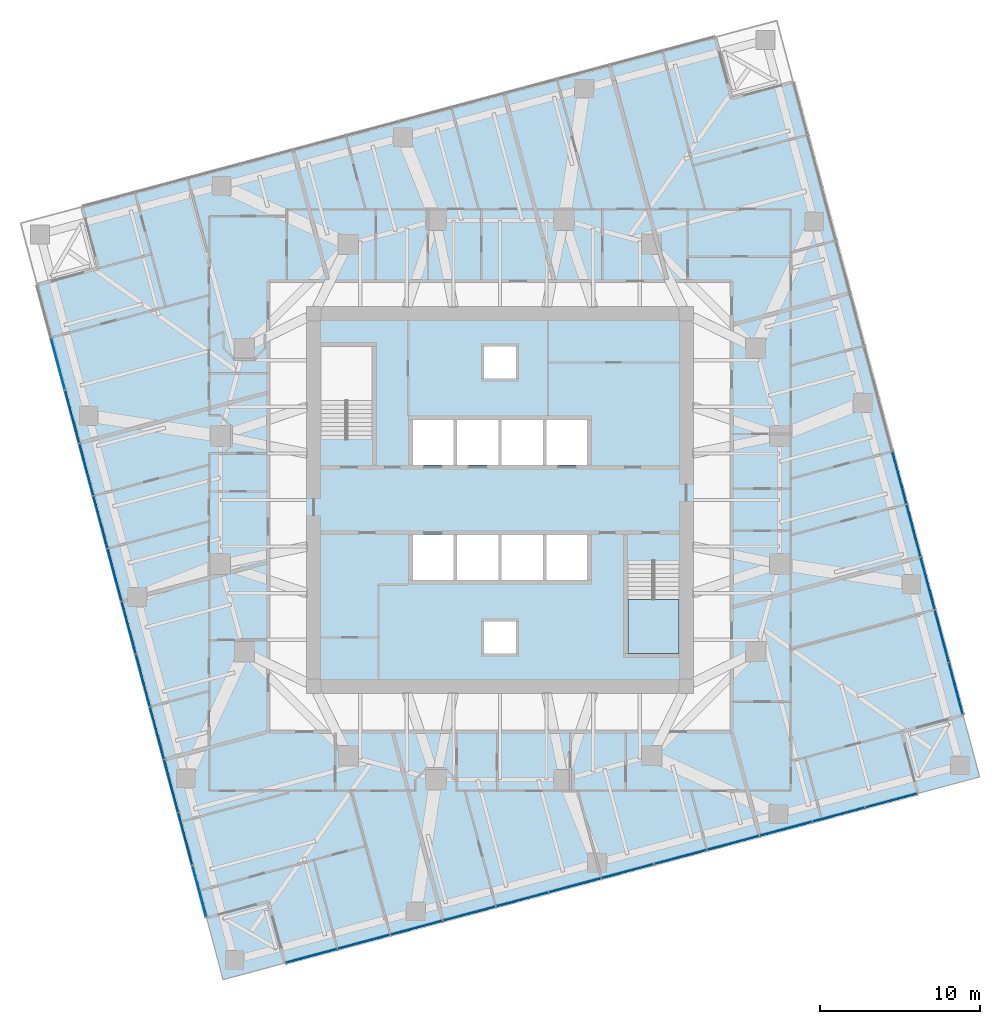
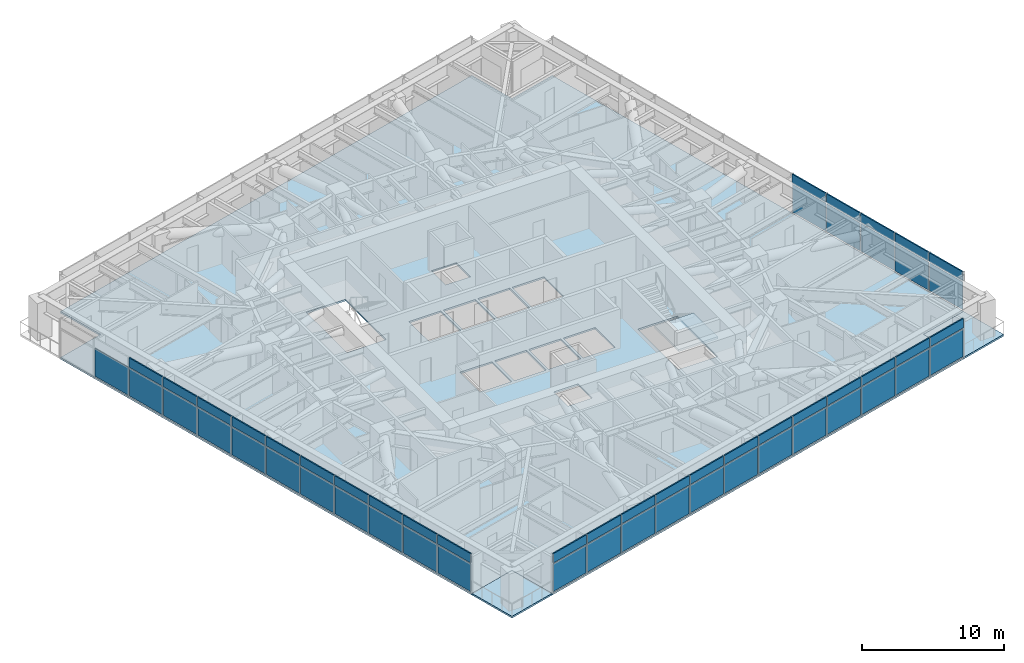
# One storey, part 9 of 18: 55 plates, 4 slabs, 4 elements without a shape of their own.
"""IFC4 building model written with IfcOpenShell, lengths in metres."""

import ifcopenshell
import ifcopenshell.guid

model = None  # the IFC model being written
_history = None  # IfcOwnerHistory: only IFC2X3 demands one
_inside = {}  # id of a spatial element -> (the spatial element, [elements in it])
_under = {}  # id of a project, library or spatial element -> (it, [spatial elements below it])
_declared = {}  # id of a project -> (the project, [libraries it declares])
_typed = {}  # id of a type object -> (the type object, [elements of that type])
_made_of = {}  # id of a material, layer set ... -> (it, [elements and type objects made of it])


def new_model(schema):
    """Start an empty IFC model of exactly this schema.

    Asked for "IFC4X3", IfcOpenShell would pick the latest addendum, in which some entities
    have other attributes; the version numbers below select the first issue.
    IFC2X3 requires an IfcOwnerHistory on every rooted entity: one is made here for all.
    """
    global model, _history
    if schema == "IFC4X3":
        model = ifcopenshell.file(schema_version=(4, 3, 0, 0))
    else:
        model = ifcopenshell.file(schema=schema)
    _inside.clear()
    _under.clear()
    _declared.clear()
    _typed.clear()
    _made_of.clear()
    _history = None
    if model.schema == "IFC2X3":
        org = make("IfcOrganization", Name="unknown")
        user = make(
            "IfcPersonAndOrganization",
            ThePerson=make("IfcPerson", FamilyName="unknown"),
            TheOrganization=org,
        )
        app = make(
            "IfcApplication",
            ApplicationDeveloper=org,
            Version="unknown",
            ApplicationFullName="unknown",
            ApplicationIdentifier="unknown",
        )
        _history = make(
            "IfcOwnerHistory",
            OwningUser=user,
            OwningApplication=app,
            ChangeAction="ADDED",
            CreationDate=0,
        )
    return model


def make(cls, **values):
    """One entity of the class cls with the attributes given. An attribute that is None is left unset."""
    return model.create_entity(
        cls, **{name: value for name, value in values.items() if value is not None}
    )


def rooted(cls, **values):
    """An entity with a GlobalId (a new one), such as an element, a storey or a relation."""
    return make(cls, GlobalId=ifcopenshell.guid.new(), OwnerHistory=_history, **values)


def si_unit(unit_type, name, prefix=None):
    """IfcSIUnit, for example si_unit("LENGTHUNIT", "METRE", prefix="MILLI")."""
    return make("IfcSIUnit", UnitType=unit_type, Prefix=prefix, Name=name)


def assignment(units):
    """IfcUnitAssignment: the units of a project."""
    return None if units is None else make("IfcUnitAssignment", Units=units)


def point(xyz):
    """IfcCartesianPoint."""
    return None if xyz is None else make("IfcCartesianPoint", Coordinates=xyz)


def direction(xyz):
    """IfcDirection."""
    return None if xyz is None else make("IfcDirection", DirectionRatios=xyz)


def frame(location, z_axis=None, x_axis=None):
    """IfcAxis2Placement3D, a coordinate frame: its origin and axes. An axis left out is left unset."""
    return make(
        "IfcAxis2Placement3D",
        Location=point(location),
        Axis=direction(z_axis),
        RefDirection=direction(x_axis),
    )


def frame_2d(location, x_axis=None):
    """IfcAxis2Placement2D, a coordinate frame in the plane: its origin and x axis."""
    return make(
        "IfcAxis2Placement2D", Location=point(location), RefDirection=direction(x_axis)
    )


def origin():
    """The frame at (0, 0, 0) with its axes left unset."""
    return frame((0.0, 0.0, 0.0))


def origin_2d():
    """The frame at (0, 0) in the plane with its x axis left unset."""
    return frame_2d((0.0, 0.0))


def place(relative_to, where):
    """IfcLocalPlacement: puts the frame where relative to a parent placement (None: the world)."""
    return make(
        "IfcLocalPlacement", PlacementRelTo=relative_to, RelativePlacement=where
    )


def context(
    kind, dimensions, precision=None, world=None, true_north=None, identifier=None
):
    """IfcGeometricRepresentationContext, for example the 3D "Model" context."""
    return make(
        "IfcGeometricRepresentationContext",
        ContextIdentifier=identifier,
        ContextType=kind,
        CoordinateSpaceDimension=dimensions,
        Precision=precision,
        WorldCoordinateSystem=world,
        TrueNorth=true_north,
    )


def subcontext(parent, identifier, kind, view, scale=None):
    """IfcGeometricRepresentationSubContext, for example "Body" below "Model"."""
    return make(
        "IfcGeometricRepresentationSubContext",
        ContextIdentifier=identifier,
        ContextType=kind,
        ParentContext=parent,
        TargetScale=scale,
        TargetView=view,
    )


def project(units=None, contexts=None):
    """IfcProject with its units and contexts."""
    return rooted(
        "IfcProject",
        Name="project",
        RepresentationContexts=contexts,
        UnitsInContext=assignment(units),
    )


def spatial(cls, under=None, at=None, **own):
    """A site, building, storey or space (cls), placed at a placement, below another one or the project."""
    s = rooted(cls, ObjectPlacement=at, **own)
    if under is not None:
        _under.setdefault(under.id(), (under, []))[1].append(s)
    return s


def polyline(points):
    """IfcPolyline through the points."""
    return make("IfcPolyline", Points=[point(p) for p in points])


def profile(cls, at=None, kind="AREA", **sizes):
    """A parametric profile (cls). Its sizes go by their IFC names, for example OverallWidth=200.0."""
    return make(cls, ProfileType=kind, Position=at, **sizes)


def rectangle(**sizes):
    """IfcRectangleProfileDef."""
    return profile("IfcRectangleProfileDef", **sizes)


def outline(outer, holes=None, kind="AREA"):
    """IfcArbitraryClosedProfileDef: a profile drawn as a closed curve; with holes, ...WithVoids."""
    if holes is None:
        return make("IfcArbitraryClosedProfileDef", ProfileType=kind, OuterCurve=outer)
    return make(
        "IfcArbitraryProfileDefWithVoids",
        ProfileType=kind,
        OuterCurve=outer,
        InnerCurves=holes,
    )


def extrude(swept, where, along, depth):
    """IfcExtrudedAreaSolid: the profile swept, set in the frame where, extruded along a direction by depth."""
    return make(
        "IfcExtrudedAreaSolid",
        SweptArea=swept,
        Position=where,
        ExtrudedDirection=direction(along),
        Depth=depth,
    )


def shape(context_of_items, identifier, shape_type, items):
    """IfcShapeRepresentation: the items that make up one representation, for example the "Body"."""
    return make(
        "IfcShapeRepresentation",
        ContextOfItems=context_of_items,
        RepresentationIdentifier=identifier,
        RepresentationType=shape_type,
        Items=items,
    )


def material(Name=None, Category=None):
    """IfcMaterial."""
    return make("IfcMaterial", Name=Name, Category=Category)


def layer(
    of_material, thickness, ventilated=None, Name=None, Category=None, Priority=None
):
    """IfcMaterialLayer: one layer of a wall or slab, of a material (None: an air gap)."""
    return make(
        "IfcMaterialLayer",
        Material=of_material,
        LayerThickness=thickness,
        IsVentilated=ventilated,
        Name=Name,
        Category=Category,
        Priority=Priority,
    )


def layer_set(layers, Name=None):
    """IfcMaterialLayerSet."""
    return make("IfcMaterialLayerSet", MaterialLayers=layers, LayerSetName=Name)


def made_of(thing, what):
    """Note that an element or type object is made of a material, layer set ...; save() writes the relation."""
    if what is not None:
        _made_of.setdefault(what.id(), (what, []))[1].append(thing)
    return thing


def type_object(cls, material=None, **own):
    """A type object (cls), such as IfcWallType, which elements share."""
    return made_of(rooted(cls, **own), material)


def element(
    cls,
    number,
    at=None,
    inside=None,
    cuts=None,
    type_object=None,
    material=None,
    context=None,
    identifier="Body",
    shape_type=None,
    held_by="IfcProductDefinitionShape",
    body=None,
    shapes=None,
    **own,
):
    """One element of the class cls, such as IfcWall. Its Tag is "e" and its number.

    at: its placement. inside: the storey or other place that contains it. cuts: it is an
    opening in that element (IfcRelVoidsElement). A single representation is given by context,
    identifier, shape_type and body (its items); several are given by shapes. held_by: the class
    of the entity that holds the representations. save() writes the other relations.
    """
    e = rooted(cls, Tag="e%d" % number, ObjectPlacement=at, **own)
    if body is not None:
        shapes = [shape(context, identifier, shape_type, body)]
    if shapes is not None:
        e.Representation = make(held_by, Representations=shapes)
    if inside is not None:
        _inside.setdefault(inside.id(), (inside, []))[1].append(e)
    if cuts is not None:
        rooted(
            "IfcRelVoidsElement", RelatingBuildingElement=cuts, RelatedOpeningElement=e
        )
    if type_object is not None:
        _typed.setdefault(type_object.id(), (type_object, []))[1].append(e)
    return made_of(e, material)


def aggregate(whole, parts):
    """IfcRelAggregates: a whole, such as a stair, and the parts it consists of."""
    return rooted("IfcRelAggregates", RelatingObject=whole, RelatedObjects=parts)


def save(model, path):
    """Write the relations noted so far, then the file.

    IfcRelAggregates (storeys below a building ...), IfcRelContainedInSpatialStructure (elements
    in a storey), IfcRelDefinesByType, IfcRelAssociatesMaterial and IfcRelDeclares: one each for
    every whole, place, type object, material and project.
    """
    for whole, parts in _under.values():
        aggregate(whole, parts)
    for where, things in _inside.values():
        rooted(
            "IfcRelContainedInSpatialStructure",
            RelatedElements=things,
            RelatingStructure=where,
        )
    for kind, things in _typed.values():
        rooted("IfcRelDefinesByType", RelatedObjects=things, RelatingType=kind)
    for what, things in _made_of.values():
        rooted("IfcRelAssociatesMaterial", RelatedObjects=things, RelatingMaterial=what)
    for by, libraries in _declared.values():
        rooted("IfcRelDeclares", RelatingContext=by, RelatedDefinitions=libraries)
    model.write(path)


model = new_model("IFC4")

# Units and contexts
model_context = context("Model", 3, precision=1e-05, world=origin(), true_north=direction((0.0, 1.0)))
body_context = subcontext(model_context, "Body", "Model", "MODEL_VIEW")
ifc_project = project(units=[si_unit("LENGTHUNIT", "METRE"), si_unit("AREAUNIT", "SQUARE_METRE"), si_unit("VOLUMEUNIT", "CUBIC_METRE"), si_unit("PLANEANGLEUNIT", "RADIAN"), si_unit("MASSUNIT", "GRAM", prefix="KILO")], contexts=[model_context])

# Site, building, storey
site_placement = place(None, origin())
site = spatial("IfcSite", under=ifc_project, at=site_placement, CompositionType="ELEMENT")
building_placement = place(site_placement, origin())
building = spatial("IfcBuilding", under=site, at=building_placement, Name="Torsade Residences", CompositionType="ELEMENT")
storey_placement = place(building_placement, frame((0.0, 0.0, 135.39990234375)))
storey = spatial("IfcBuildingStorey", under=building, at=storey_placement, Name="L37", CompositionType="ELEMENT", Elevation=135.39990234375)

# Slab
ifc_material_1 = material(Name="Concrete 40 MPa", Category="concrete")
ifc_layer_1 = layer(ifc_material_1, 0.14990234375)
ifc_layer_set_1 = layer_set([ifc_layer_1], Name="Concrete 40 MPa")
slab_type_1 = type_object("IfcSlabType", Name="COMPOSITE FLOOR SLAB 150", PredefinedType="FLOOR", material=ifc_layer_set_1)
slab_1_placement = place(storey_placement, frame((0.0, 0.0, -0.14990234375)))
element("IfcSlab", 1, at=slab_1_placement, inside=storey, type_object=slab_type_1, Name="Floor slab L37", PredefinedType="FLOOR", context=body_context, shape_type="SweptSolid", body=[
    extrude(outline(polyline([(26.53955078125, 1.029052734375), (66.142578125, 11.640625), (65.107177734375, 15.50439453125), (68.970947265625, 16.53955078125), (58.359375, 56.142578125), (54.49560546875, 55.107177734375), (53.46044921875, 58.970947265625), (13.857421875, 48.359375), (14.892822265625, 44.49560546875), (11.029052734375, 43.46044921875), (21.640625, 3.857421875), (25.50439453125, 4.892822265625), (26.53955078125, 1.029052734375)]), holes=[polyline([(51.199951171875, 20.39990234375), (51.199951171875, 26.1201171875), (48.0, 26.1201171875), (48.0, 20.39990234375), (51.199951171875, 20.39990234375)]), polyline([(45.5, 27.800048828125), (42.89990234375, 27.800048828125), (42.89990234375, 25.0), (45.5, 25.0), (45.5, 27.800048828125)]), polyline([(45.5, 32.199951171875), (45.5, 35.0), (42.89990234375, 35.0), (42.89990234375, 32.199951171875), (45.5, 32.199951171875)]), polyline([(42.699951171875, 25.0), (42.699951171875, 27.800048828125), (40.10009765625, 27.800048828125), (40.10009765625, 25.0), (42.699951171875, 25.0)]), polyline([(42.699951171875, 32.199951171875), (42.699951171875, 35.0), (40.10009765625, 35.0), (40.10009765625, 32.199951171875), (42.699951171875, 32.199951171875)]), polyline([(41.0, 22.39990234375), (39.0, 22.39990234375), (39.0, 20.39990234375), (41.0, 20.39990234375), (41.0, 22.39990234375)]), polyline([(41.0, 37.60009765625), (41.0, 39.60009765625), (39.0, 39.60009765625), (39.0, 37.60009765625), (41.0, 37.60009765625)]), polyline([(39.89990234375, 25.0), (39.89990234375, 27.800048828125), (37.300048828125, 27.800048828125), (37.300048828125, 25.0), (39.89990234375, 25.0)]), polyline([(39.89990234375, 35.0), (37.300048828125, 35.0), (37.300048828125, 32.199951171875), (39.89990234375, 32.199951171875), (39.89990234375, 35.0)]), polyline([(37.10009765625, 27.800048828125), (34.5, 27.800048828125), (34.5, 25.0), (37.10009765625, 25.0), (37.10009765625, 27.800048828125)]), polyline([(37.10009765625, 32.199951171875), (37.10009765625, 35.0), (34.5, 35.0), (34.5, 32.199951171875), (37.10009765625, 32.199951171875)]), polyline([(32.0, 33.8798828125), (32.0, 39.60009765625), (28.800048828125, 39.60009765625), (28.800048828125, 33.8798828125), (32.0, 33.8798828125)])]), origin(), (0.0, 0.0, 1.0), 0.14990234375),
])

# Curtain wall, plates
ifc_material_2 = material(Name="Aluminium and glass", Category="aluminium")
curtain_wall_type = type_object("IfcCurtainWallType", Name="FRITTED GLASS CURTAIN WALL MID ZONE", PredefinedType="NOTDEFINED", material=ifc_material_2)
curtain_wall_1_placement = place(storey_placement, origin())
curtain_wall_1 = element("IfcCurtainWall", 2, at=curtain_wall_1_placement, inside=storey, type_object=curtain_wall_type, Name="Curtain wall L37 face 1", PredefinedType="NOTDEFINED")
ifc_material_3 = material(Name="Laminated glass", Category="glass")
ifc_layer_2 = layer(ifc_material_3, 0.031982421875)
ifc_layer_set_2 = layer_set([ifc_layer_2], Name="Laminated glass")
plate_type_1 = type_object("IfcPlateType", Name="FRITTED GLASS PANEL", PredefinedType="CURTAIN_PANEL", material=ifc_layer_set_2)
plate_1_placement = place(storey_placement, frame((28.208984375, 1.476318359375, 0.1103515625), z_axis=(0.0, 0.0, 1.0), x_axis=(0.965925825571, 0.258819047783, 0.0)))
plate_1 = element("IfcPlate", 3, at=plate_1_placement, type_object=plate_type_1, Name="Panel 1", PredefinedType="CURTAIN_PANEL", context=body_context, shape_type="SweptSolid", body=[
    extrude(rectangle(XDim=3.296630859375, YDim=0.031982421875, at=origin_2d()), origin(), (0.0, 0.0, 1.0), 2.389892578125),
])
plate_2_placement = place(storey_placement, frame((34.790283203125, 3.23974609375, 0.1103515625), z_axis=(0.0, 0.0, 1.0), x_axis=(0.965925825571, 0.258819047783, 0.0)))
plate_2 = element("IfcPlate", 4, at=plate_2_placement, type_object=plate_type_1, Name="Panel 3", PredefinedType="CURTAIN_PANEL", context=body_context, shape_type="SweptSolid", body=[
    extrude(rectangle(XDim=3.336669921875, YDim=0.031982421875, at=origin_2d()), origin(), (0.0, 0.0, 1.0), 2.389892578125),
])
plate_3_placement = place(storey_placement, frame((38.09033203125, 4.1240234375, 0.1103515625), z_axis=(0.0, 0.0, 1.0), x_axis=(0.965925825571, 0.258819047783, 0.0)))
plate_3 = element("IfcPlate", 5, at=plate_3_placement, type_object=plate_type_1, Name="Panel 4", PredefinedType="CURTAIN_PANEL", context=body_context, shape_type="SweptSolid", body=[
    extrude(rectangle(XDim=3.336669921875, YDim=0.031982421875, at=origin_2d()), origin(), (0.0, 0.0, 1.0), 2.389892578125),
])
plate_4_placement = place(storey_placement, frame((41.390625, 5.00830078125, 0.1103515625), z_axis=(0.0, 0.0, 1.0), x_axis=(0.965925825571, 0.258819047783, 0.0)))
plate_4 = element("IfcPlate", 6, at=plate_4_placement, type_object=plate_type_1, Name="Panel 5", PredefinedType="CURTAIN_PANEL", context=body_context, shape_type="SweptSolid", body=[
    extrude(rectangle(XDim=3.336669921875, YDim=0.031982421875, at=origin_2d()), origin(), (0.0, 0.0, 1.0), 2.389892578125),
])
plate_5_placement = place(storey_placement, frame((47.9912109375, 6.77685546875, 0.1103515625), z_axis=(0.0, 0.0, 1.0), x_axis=(0.965925825571, 0.258819047783, 0.0)))
plate_5 = element("IfcPlate", 7, at=plate_5_placement, type_object=plate_type_1, Name="Panel 7", PredefinedType="CURTAIN_PANEL", context=body_context, shape_type="SweptSolid", body=[
    extrude(rectangle(XDim=3.336669921875, YDim=0.031982421875, at=origin_2d()), origin(), (0.0, 0.0, 1.0), 2.389892578125),
])
plate_6_placement = place(storey_placement, frame((51.29150390625, 7.661376953125, 0.1103515625), z_axis=(0.0, 0.0, 1.0), x_axis=(0.965925825571, 0.258819047783, 0.0)))
plate_6 = element("IfcPlate", 8, at=plate_6_placement, type_object=plate_type_1, Name="Panel 8", PredefinedType="CURTAIN_PANEL", context=body_context, shape_type="SweptSolid", body=[
    extrude(rectangle(XDim=3.336669921875, YDim=0.031982421875, at=origin_2d()), origin(), (0.0, 0.0, 1.0), 2.389892578125),
])
plate_7_placement = place(storey_placement, frame((54.591796875, 8.545654296875, 0.1103515625), z_axis=(0.0, 0.0, 1.0), x_axis=(0.965925825571, 0.258819047783, 0.0)))
plate_7 = element("IfcPlate", 9, at=plate_7_placement, type_object=plate_type_1, Name="Panel 9", PredefinedType="CURTAIN_PANEL", context=body_context, shape_type="SweptSolid", body=[
    extrude(rectangle(XDim=3.336669921875, YDim=0.031982421875, at=origin_2d()), origin(), (0.0, 0.0, 1.0), 2.389892578125),
])
plate_8_placement = place(storey_placement, frame((61.192138671875, 10.314208984375, 0.1103515625), z_axis=(0.0, 0.0, 1.0), x_axis=(0.965925825571, 0.258819047783, 0.0)))
plate_8 = element("IfcPlate", 10, at=plate_8_placement, type_object=plate_type_1, Name="Panel 11", PredefinedType="CURTAIN_PANEL", context=body_context, shape_type="SweptSolid", body=[
    extrude(rectangle(XDim=3.336669921875, YDim=0.031982421875, at=origin_2d()), origin(), (0.0, 0.0, 1.0), 2.389892578125),
])
plate_9_placement = place(storey_placement, frame((64.47314453125, 11.193359375, 0.1103515625), z_axis=(0.0, 0.0, 1.0), x_axis=(0.965925825571, 0.258819047783, 0.0)))
plate_9 = element("IfcPlate", 11, at=plate_9_placement, type_object=plate_type_1, Name="Panel 12", PredefinedType="CURTAIN_PANEL", context=body_context, shape_type="SweptSolid", body=[
    extrude(rectangle(XDim=3.296630859375, YDim=0.031982421875, at=origin_2d()), origin(), (0.0, 0.0, 1.0), 2.389892578125),
])

curtain_wall_2_placement = place(storey_placement, origin())
curtain_wall_2 = element("IfcCurtainWall", 12, at=curtain_wall_2_placement, inside=storey, type_object=curtain_wall_type, Name="Curtain wall L37 face 4", PredefinedType="NOTDEFINED")
plate_10_placement = place(storey_placement, frame((68.523681640625, 18.208984375, 0.1103515625), z_axis=(0.0, 0.0, 1.0), x_axis=(-0.258819047783, 0.965925825571, 0.0)))
plate_10 = element("IfcPlate", 13, at=plate_10_placement, type_object=plate_type_1, Name="Panel 1", PredefinedType="CURTAIN_PANEL", context=body_context, shape_type="SweptSolid", body=[
    extrude(rectangle(XDim=3.296630859375, YDim=0.031982421875, at=origin_2d()), origin(), (0.0, 0.0, 1.0), 2.389892578125),
])
plate_11_placement = place(storey_placement, frame((66.76025390625, 24.790283203125, 0.1103515625), z_axis=(0.0, 0.0, 1.0), x_axis=(-0.258819047783, 0.965925825571, 0.0)))
plate_11 = element("IfcPlate", 14, at=plate_11_placement, type_object=plate_type_1, Name="Panel 3", PredefinedType="CURTAIN_PANEL", context=body_context, shape_type="SweptSolid", body=[
    extrude(rectangle(XDim=3.336669921875, YDim=0.031982421875, at=origin_2d()), origin(), (0.0, 0.0, 1.0), 2.389892578125),
])
plate_12_placement = place(storey_placement, frame((65.8759765625, 28.09033203125, 0.1103515625), z_axis=(0.0, 0.0, 1.0), x_axis=(-0.258819047783, 0.965925825571, 0.0)))
plate_12 = element("IfcPlate", 15, at=plate_12_placement, type_object=plate_type_1, Name="Panel 4", PredefinedType="CURTAIN_PANEL", context=body_context, shape_type="SweptSolid", body=[
    extrude(rectangle(XDim=3.336669921875, YDim=0.031982421875, at=origin_2d()), origin(), (0.0, 0.0, 1.0), 2.389892578125),
])
plate_13_placement = place(storey_placement, frame((64.99169921875, 31.390625, 0.1103515625), z_axis=(0.0, 0.0, 1.0), x_axis=(-0.258819047783, 0.965925825571, 0.0)))
plate_13 = element("IfcPlate", 16, at=plate_13_placement, type_object=plate_type_1, Name="Panel 5", PredefinedType="CURTAIN_PANEL", context=body_context, shape_type="SweptSolid", body=[
    extrude(rectangle(XDim=3.336669921875, YDim=0.031982421875, at=origin_2d()), origin(), (0.0, 0.0, 1.0), 2.389892578125),
])

curtain_wall_3_placement = place(storey_placement, origin())
curtain_wall_3 = element("IfcCurtainWall", 17, at=curtain_wall_3_placement, inside=storey, type_object=curtain_wall_type, Name="Curtain wall L37 face 10", PredefinedType="NOTDEFINED")
plate_14_placement = place(storey_placement, frame((13.23974609375, 35.209716796875, 0.1103515625), z_axis=(0.0, 0.0, 1.0), x_axis=(0.258819047783, -0.965925825571, 0.0)))
plate_14 = element("IfcPlate", 18, at=plate_14_placement, type_object=plate_type_1, Name="Panel 3", PredefinedType="CURTAIN_PANEL", context=body_context, shape_type="SweptSolid", body=[
    extrude(rectangle(XDim=3.336669921875, YDim=0.031982421875, at=origin_2d()), origin(), (0.0, 0.0, 1.0), 2.389892578125),
])
plate_15_placement = place(storey_placement, frame((14.1240234375, 31.90966796875, 0.1103515625), z_axis=(0.0, 0.0, 1.0), x_axis=(0.258819047783, -0.965925825571, 0.0)))
plate_15 = element("IfcPlate", 19, at=plate_15_placement, type_object=plate_type_1, Name="Panel 4", PredefinedType="CURTAIN_PANEL", context=body_context, shape_type="SweptSolid", body=[
    extrude(rectangle(XDim=3.336669921875, YDim=0.031982421875, at=origin_2d()), origin(), (0.0, 0.0, 1.0), 2.389892578125),
])
plate_16_placement = place(storey_placement, frame((15.00830078125, 28.609375, 0.1103515625), z_axis=(0.0, 0.0, 1.0), x_axis=(0.258819047783, -0.965925825571, 0.0)))
plate_16 = element("IfcPlate", 20, at=plate_16_placement, type_object=plate_type_1, Name="Panel 5", PredefinedType="CURTAIN_PANEL", context=body_context, shape_type="SweptSolid", body=[
    extrude(rectangle(XDim=3.336669921875, YDim=0.031982421875, at=origin_2d()), origin(), (0.0, 0.0, 1.0), 2.389892578125),
])
plate_17_placement = place(storey_placement, frame((16.77685546875, 22.0087890625, 0.1103515625), z_axis=(0.0, 0.0, 1.0), x_axis=(0.258819047783, -0.965925825571, 0.0)))
plate_17 = element("IfcPlate", 21, at=plate_17_placement, type_object=plate_type_1, Name="Panel 7", PredefinedType="CURTAIN_PANEL", context=body_context, shape_type="SweptSolid", body=[
    extrude(rectangle(XDim=3.336669921875, YDim=0.031982421875, at=origin_2d()), origin(), (0.0, 0.0, 1.0), 2.389892578125),
])
plate_18_placement = place(storey_placement, frame((17.661376953125, 18.70849609375, 0.1103515625), z_axis=(0.0, 0.0, 1.0), x_axis=(0.258819047783, -0.965925825571, 0.0)))
plate_18 = element("IfcPlate", 22, at=plate_18_placement, type_object=plate_type_1, Name="Panel 8", PredefinedType="CURTAIN_PANEL", context=body_context, shape_type="SweptSolid", body=[
    extrude(rectangle(XDim=3.336669921875, YDim=0.031982421875, at=origin_2d()), origin(), (0.0, 0.0, 1.0), 2.389892578125),
])
plate_19_placement = place(storey_placement, frame((18.545654296875, 15.408203125, 0.1103515625), z_axis=(0.0, 0.0, 1.0), x_axis=(0.258819047783, -0.965925825571, 0.0)))
plate_19 = element("IfcPlate", 23, at=plate_19_placement, type_object=plate_type_1, Name="Panel 9", PredefinedType="CURTAIN_PANEL", context=body_context, shape_type="SweptSolid", body=[
    extrude(rectangle(XDim=3.336669921875, YDim=0.031982421875, at=origin_2d()), origin(), (0.0, 0.0, 1.0), 2.389892578125),
])
plate_20_placement = place(storey_placement, frame((20.314208984375, 8.807861328125, 0.1103515625), z_axis=(0.0, 0.0, 1.0), x_axis=(0.258819047783, -0.965925825571, 0.0)))
plate_20 = element("IfcPlate", 24, at=plate_20_placement, type_object=plate_type_1, Name="Panel 11", PredefinedType="CURTAIN_PANEL", context=body_context, shape_type="SweptSolid", body=[
    extrude(rectangle(XDim=3.336669921875, YDim=0.031982421875, at=origin_2d()), origin(), (0.0, 0.0, 1.0), 2.389892578125),
])
plate_21_placement = place(storey_placement, frame((21.193359375, 5.52685546875, 0.1103515625), z_axis=(0.0, 0.0, 1.0), x_axis=(0.258819047783, -0.965925825571, 0.0)))
plate_21 = element("IfcPlate", 25, at=plate_21_placement, type_object=plate_type_1, Name="Panel 12", PredefinedType="CURTAIN_PANEL", context=body_context, shape_type="SweptSolid", body=[
    extrude(rectangle(XDim=3.296630859375, YDim=0.031982421875, at=origin_2d()), origin(), (0.0, 0.0, 1.0), 2.389892578125),
])

# Plate
ifc_material_4 = material(Name="Aluminium composite spandrel panel", Category="aluminium")
ifc_layer_3 = layer(ifc_material_4, 0.10009765625)
ifc_layer_set_3 = layer_set([ifc_layer_3], Name="Aluminium composite spandrel panel")
plate_type_2 = type_object("IfcPlateType", Name="OPAQUE SPANDREL PANEL", PredefinedType="CURTAIN_PANEL", material=ifc_layer_set_3)
plate_22_placement = place(storey_placement, frame((28.208984375, 1.476318359375, 2.610107421875), z_axis=(0.0, 0.0, 1.0), x_axis=(0.965925825571, 0.258819047783, 0.0)))
plate_22 = element("IfcPlate", 26, at=plate_22_placement, type_object=plate_type_2, Name="Spandrel panel 1", PredefinedType="CURTAIN_PANEL", context=body_context, shape_type="SweptSolid", body=[
    extrude(rectangle(XDim=3.296630859375, YDim=0.10009765625, at=origin_2d()), origin(), (0.0, 0.0, 1.0), 0.7900390625),
])

plate_23_placement = place(storey_placement, frame((31.489990234375, 2.35546875, 2.610107421875), z_axis=(0.0, 0.0, 1.0), x_axis=(0.965925825571, 0.258819047783, 0.0)))
plate_23 = element("IfcPlate", 27, at=plate_23_placement, type_object=plate_type_2, Name="Spandrel panel 2", PredefinedType="CURTAIN_PANEL", context=body_context, shape_type="SweptSolid", body=[
    extrude(rectangle(XDim=3.336669921875, YDim=0.10009765625, at=origin_2d()), origin(), (0.0, 0.0, 1.0), 0.7900390625),
])

plate_24_placement = place(storey_placement, frame((34.790283203125, 3.23974609375, 2.610107421875), z_axis=(0.0, 0.0, 1.0), x_axis=(0.965925825571, 0.258819047783, 0.0)))
plate_24 = element("IfcPlate", 28, at=plate_24_placement, type_object=plate_type_2, Name="Spandrel panel 3", PredefinedType="CURTAIN_PANEL", context=body_context, shape_type="SweptSolid", body=[
    extrude(rectangle(XDim=3.336669921875, YDim=0.10009765625, at=origin_2d()), origin(), (0.0, 0.0, 1.0), 0.7900390625),
])

plate_25_placement = place(storey_placement, frame((38.09033203125, 4.1240234375, 2.610107421875), z_axis=(0.0, 0.0, 1.0), x_axis=(0.965925825571, 0.258819047783, 0.0)))
plate_25 = element("IfcPlate", 29, at=plate_25_placement, type_object=plate_type_2, Name="Spandrel panel 4", PredefinedType="CURTAIN_PANEL", context=body_context, shape_type="SweptSolid", body=[
    extrude(rectangle(XDim=3.336669921875, YDim=0.10009765625, at=origin_2d()), origin(), (0.0, 0.0, 1.0), 0.7900390625),
])

plate_26_placement = place(storey_placement, frame((41.390625, 5.00830078125, 2.610107421875), z_axis=(0.0, 0.0, 1.0), x_axis=(0.965925825571, 0.258819047783, 0.0)))
plate_26 = element("IfcPlate", 30, at=plate_26_placement, type_object=plate_type_2, Name="Spandrel panel 5", PredefinedType="CURTAIN_PANEL", context=body_context, shape_type="SweptSolid", body=[
    extrude(rectangle(XDim=3.336669921875, YDim=0.10009765625, at=origin_2d()), origin(), (0.0, 0.0, 1.0), 0.7900390625),
])

plate_27_placement = place(storey_placement, frame((44.69091796875, 5.892578125, 2.610107421875), z_axis=(0.0, 0.0, 1.0), x_axis=(0.965925825571, 0.258819047783, 0.0)))
plate_27 = element("IfcPlate", 31, at=plate_27_placement, type_object=plate_type_2, Name="Spandrel panel 6", PredefinedType="CURTAIN_PANEL", context=body_context, shape_type="SweptSolid", body=[
    extrude(rectangle(XDim=3.336669921875, YDim=0.10009765625, at=origin_2d()), origin(), (0.0, 0.0, 1.0), 0.7900390625),
])

plate_28_placement = place(storey_placement, frame((47.9912109375, 6.77685546875, 2.610107421875), z_axis=(0.0, 0.0, 1.0), x_axis=(0.965925825571, 0.258819047783, 0.0)))
plate_28 = element("IfcPlate", 32, at=plate_28_placement, type_object=plate_type_2, Name="Spandrel panel 7", PredefinedType="CURTAIN_PANEL", context=body_context, shape_type="SweptSolid", body=[
    extrude(rectangle(XDim=3.336669921875, YDim=0.10009765625, at=origin_2d()), origin(), (0.0, 0.0, 1.0), 0.7900390625),
])

plate_29_placement = place(storey_placement, frame((51.29150390625, 7.661376953125, 2.610107421875), z_axis=(0.0, 0.0, 1.0), x_axis=(0.965925825571, 0.258819047783, 0.0)))
plate_29 = element("IfcPlate", 33, at=plate_29_placement, type_object=plate_type_2, Name="Spandrel panel 8", PredefinedType="CURTAIN_PANEL", context=body_context, shape_type="SweptSolid", body=[
    extrude(rectangle(XDim=3.336669921875, YDim=0.10009765625, at=origin_2d()), origin(), (0.0, 0.0, 1.0), 0.7900390625),
])

plate_30_placement = place(storey_placement, frame((54.591796875, 8.545654296875, 2.610107421875), z_axis=(0.0, 0.0, 1.0), x_axis=(0.965925825571, 0.258819047783, 0.0)))
plate_30 = element("IfcPlate", 34, at=plate_30_placement, type_object=plate_type_2, Name="Spandrel panel 9", PredefinedType="CURTAIN_PANEL", context=body_context, shape_type="SweptSolid", body=[
    extrude(rectangle(XDim=3.336669921875, YDim=0.10009765625, at=origin_2d()), origin(), (0.0, 0.0, 1.0), 0.7900390625),
])

plate_31_placement = place(storey_placement, frame((57.891845703125, 9.429931640625, 2.610107421875), z_axis=(0.0, 0.0, 1.0), x_axis=(0.965925825571, 0.258819047783, 0.0)))
plate_31 = element("IfcPlate", 35, at=plate_31_placement, type_object=plate_type_2, Name="Spandrel panel 10", PredefinedType="CURTAIN_PANEL", context=body_context, shape_type="SweptSolid", body=[
    extrude(rectangle(XDim=3.336669921875, YDim=0.10009765625, at=origin_2d()), origin(), (0.0, 0.0, 1.0), 0.7900390625),
])

plate_32_placement = place(storey_placement, frame((61.192138671875, 10.314208984375, 2.610107421875), z_axis=(0.0, 0.0, 1.0), x_axis=(0.965925825571, 0.258819047783, 0.0)))
plate_32 = element("IfcPlate", 36, at=plate_32_placement, type_object=plate_type_2, Name="Spandrel panel 11", PredefinedType="CURTAIN_PANEL", context=body_context, shape_type="SweptSolid", body=[
    extrude(rectangle(XDim=3.336669921875, YDim=0.10009765625, at=origin_2d()), origin(), (0.0, 0.0, 1.0), 0.7900390625),
])

plate_33_placement = place(storey_placement, frame((64.47314453125, 11.193359375, 2.610107421875), z_axis=(0.0, 0.0, 1.0), x_axis=(0.965925825571, 0.258819047783, 0.0)))
plate_33 = element("IfcPlate", 37, at=plate_33_placement, type_object=plate_type_2, Name="Spandrel panel 12", PredefinedType="CURTAIN_PANEL", context=body_context, shape_type="SweptSolid", body=[
    extrude(rectangle(XDim=3.296630859375, YDim=0.10009765625, at=origin_2d()), origin(), (0.0, 0.0, 1.0), 0.7900390625),
])

plate_34_placement = place(storey_placement, frame((68.523681640625, 18.208984375, 2.610107421875), z_axis=(0.0, 0.0, 1.0), x_axis=(-0.258819047783, 0.965925825571, 0.0)))
plate_34 = element("IfcPlate", 38, at=plate_34_placement, type_object=plate_type_2, Name="Spandrel panel 1", PredefinedType="CURTAIN_PANEL", context=body_context, shape_type="SweptSolid", body=[
    extrude(rectangle(XDim=3.296630859375, YDim=0.10009765625, at=origin_2d()), origin(), (0.0, 0.0, 1.0), 0.7900390625),
])

plate_35_placement = place(storey_placement, frame((67.64453125, 21.489990234375, 2.610107421875), z_axis=(0.0, 0.0, 1.0), x_axis=(-0.258819047783, 0.965925825571, 0.0)))
plate_35 = element("IfcPlate", 39, at=plate_35_placement, type_object=plate_type_2, Name="Spandrel panel 2", PredefinedType="CURTAIN_PANEL", context=body_context, shape_type="SweptSolid", body=[
    extrude(rectangle(XDim=3.336669921875, YDim=0.10009765625, at=origin_2d()), origin(), (0.0, 0.0, 1.0), 0.7900390625),
])

plate_36_placement = place(storey_placement, frame((66.76025390625, 24.790283203125, 2.610107421875), z_axis=(0.0, 0.0, 1.0), x_axis=(-0.258819047783, 0.965925825571, 0.0)))
plate_36 = element("IfcPlate", 40, at=plate_36_placement, type_object=plate_type_2, Name="Spandrel panel 3", PredefinedType="CURTAIN_PANEL", context=body_context, shape_type="SweptSolid", body=[
    extrude(rectangle(XDim=3.336669921875, YDim=0.10009765625, at=origin_2d()), origin(), (0.0, 0.0, 1.0), 0.7900390625),
])

plate_37_placement = place(storey_placement, frame((65.8759765625, 28.09033203125, 2.610107421875), z_axis=(0.0, 0.0, 1.0), x_axis=(-0.258819047783, 0.965925825571, 0.0)))
plate_37 = element("IfcPlate", 41, at=plate_37_placement, type_object=plate_type_2, Name="Spandrel panel 4", PredefinedType="CURTAIN_PANEL", context=body_context, shape_type="SweptSolid", body=[
    extrude(rectangle(XDim=3.336669921875, YDim=0.10009765625, at=origin_2d()), origin(), (0.0, 0.0, 1.0), 0.7900390625),
])

plate_38_placement = place(storey_placement, frame((64.99169921875, 31.390625, 2.610107421875), z_axis=(0.0, 0.0, 1.0), x_axis=(-0.258819047783, 0.965925825571, 0.0)))
plate_38 = element("IfcPlate", 42, at=plate_38_placement, type_object=plate_type_2, Name="Spandrel panel 5", PredefinedType="CURTAIN_PANEL", context=body_context, shape_type="SweptSolid", body=[
    extrude(rectangle(XDim=3.336669921875, YDim=0.10009765625, at=origin_2d()), origin(), (0.0, 0.0, 1.0), 0.7900390625),
])

plate_39_placement = place(storey_placement, frame((13.23974609375, 35.209716796875, 2.610107421875), z_axis=(0.0, 0.0, 1.0), x_axis=(0.258819047783, -0.965925825571, 0.0)))
plate_39 = element("IfcPlate", 43, at=plate_39_placement, type_object=plate_type_2, Name="Spandrel panel 3", PredefinedType="CURTAIN_PANEL", context=body_context, shape_type="SweptSolid", body=[
    extrude(rectangle(XDim=3.336669921875, YDim=0.10009765625, at=origin_2d()), origin(), (0.0, 0.0, 1.0), 0.7900390625),
])

plate_40_placement = place(storey_placement, frame((14.1240234375, 31.90966796875, 2.610107421875), z_axis=(0.0, 0.0, 1.0), x_axis=(0.258819047783, -0.965925825571, 0.0)))
plate_40 = element("IfcPlate", 44, at=plate_40_placement, type_object=plate_type_2, Name="Spandrel panel 4", PredefinedType="CURTAIN_PANEL", context=body_context, shape_type="SweptSolid", body=[
    extrude(rectangle(XDim=3.336669921875, YDim=0.10009765625, at=origin_2d()), origin(), (0.0, 0.0, 1.0), 0.7900390625),
])

plate_41_placement = place(storey_placement, frame((15.00830078125, 28.609375, 2.610107421875), z_axis=(0.0, 0.0, 1.0), x_axis=(0.258819047783, -0.965925825571, 0.0)))
plate_41 = element("IfcPlate", 45, at=plate_41_placement, type_object=plate_type_2, Name="Spandrel panel 5", PredefinedType="CURTAIN_PANEL", context=body_context, shape_type="SweptSolid", body=[
    extrude(rectangle(XDim=3.336669921875, YDim=0.10009765625, at=origin_2d()), origin(), (0.0, 0.0, 1.0), 0.7900390625),
])

plate_42_placement = place(storey_placement, frame((15.892578125, 25.30908203125, 2.610107421875), z_axis=(0.0, 0.0, 1.0), x_axis=(0.258819047783, -0.965925825571, 0.0)))
plate_42 = element("IfcPlate", 46, at=plate_42_placement, type_object=plate_type_2, Name="Spandrel panel 6", PredefinedType="CURTAIN_PANEL", context=body_context, shape_type="SweptSolid", body=[
    extrude(rectangle(XDim=3.336669921875, YDim=0.10009765625, at=origin_2d()), origin(), (0.0, 0.0, 1.0), 0.7900390625),
])

plate_43_placement = place(storey_placement, frame((16.77685546875, 22.0087890625, 2.610107421875), z_axis=(0.0, 0.0, 1.0), x_axis=(0.258819047783, -0.965925825571, 0.0)))
plate_43 = element("IfcPlate", 47, at=plate_43_placement, type_object=plate_type_2, Name="Spandrel panel 7", PredefinedType="CURTAIN_PANEL", context=body_context, shape_type="SweptSolid", body=[
    extrude(rectangle(XDim=3.336669921875, YDim=0.10009765625, at=origin_2d()), origin(), (0.0, 0.0, 1.0), 0.7900390625),
])

plate_44_placement = place(storey_placement, frame((17.661376953125, 18.70849609375, 2.610107421875), z_axis=(0.0, 0.0, 1.0), x_axis=(0.258819047783, -0.965925825571, 0.0)))
plate_44 = element("IfcPlate", 48, at=plate_44_placement, type_object=plate_type_2, Name="Spandrel panel 8", PredefinedType="CURTAIN_PANEL", context=body_context, shape_type="SweptSolid", body=[
    extrude(rectangle(XDim=3.336669921875, YDim=0.10009765625, at=origin_2d()), origin(), (0.0, 0.0, 1.0), 0.7900390625),
])

plate_45_placement = place(storey_placement, frame((18.545654296875, 15.408203125, 2.610107421875), z_axis=(0.0, 0.0, 1.0), x_axis=(0.258819047783, -0.965925825571, 0.0)))
plate_45 = element("IfcPlate", 49, at=plate_45_placement, type_object=plate_type_2, Name="Spandrel panel 9", PredefinedType="CURTAIN_PANEL", context=body_context, shape_type="SweptSolid", body=[
    extrude(rectangle(XDim=3.336669921875, YDim=0.10009765625, at=origin_2d()), origin(), (0.0, 0.0, 1.0), 0.7900390625),
])

plate_46_placement = place(storey_placement, frame((19.429931640625, 12.108154296875, 2.610107421875), z_axis=(0.0, 0.0, 1.0), x_axis=(0.258819047783, -0.965925825571, 0.0)))
plate_46 = element("IfcPlate", 50, at=plate_46_placement, type_object=plate_type_2, Name="Spandrel panel 10", PredefinedType="CURTAIN_PANEL", context=body_context, shape_type="SweptSolid", body=[
    extrude(rectangle(XDim=3.336669921875, YDim=0.10009765625, at=origin_2d()), origin(), (0.0, 0.0, 1.0), 0.7900390625),
])

plate_47_placement = place(storey_placement, frame((20.314208984375, 8.807861328125, 2.610107421875), z_axis=(0.0, 0.0, 1.0), x_axis=(0.258819047783, -0.965925825571, 0.0)))
plate_47 = element("IfcPlate", 51, at=plate_47_placement, type_object=plate_type_2, Name="Spandrel panel 11", PredefinedType="CURTAIN_PANEL", context=body_context, shape_type="SweptSolid", body=[
    extrude(rectangle(XDim=3.336669921875, YDim=0.10009765625, at=origin_2d()), origin(), (0.0, 0.0, 1.0), 0.7900390625),
])

plate_48_placement = place(storey_placement, frame((21.193359375, 5.52685546875, 2.610107421875), z_axis=(0.0, 0.0, 1.0), x_axis=(0.258819047783, -0.965925825571, 0.0)))
plate_48 = element("IfcPlate", 52, at=plate_48_placement, type_object=plate_type_2, Name="Spandrel panel 12", PredefinedType="CURTAIN_PANEL", context=body_context, shape_type="SweptSolid", body=[
    extrude(rectangle(XDim=3.296630859375, YDim=0.10009765625, at=origin_2d()), origin(), (0.0, 0.0, 1.0), 0.7900390625),
])

ifc_material_5 = material(Name="Laminated glass", Category="glass")
ifc_layer_4 = layer(ifc_material_5, 0.0400390625)
ifc_layer_set_4 = layer_set([ifc_layer_4], Name="Laminated glass")
plate_type_3 = type_object("IfcPlateType", Name="OPERABLE VENT PANEL", PredefinedType="CURTAIN_PANEL", material=ifc_layer_set_4)
plate_49_placement = place(storey_placement, frame((31.489990234375, 2.35546875, 0.1103515625), z_axis=(0.0, 0.0, 1.0), x_axis=(0.965925825571, 0.258819047783, 0.0)))
plate_49 = element("IfcPlate", 53, at=plate_49_placement, type_object=plate_type_3, Name="Panel 2", PredefinedType="CURTAIN_PANEL", context=body_context, shape_type="SweptSolid", body=[
    extrude(rectangle(XDim=3.336669921875, YDim=0.0400390625, at=origin_2d()), origin(), (0.0, 0.0, 1.0), 2.389892578125),
])

plate_50_placement = place(storey_placement, frame((44.69091796875, 5.892578125, 0.1103515625), z_axis=(0.0, 0.0, 1.0), x_axis=(0.965925825571, 0.258819047783, 0.0)))
plate_50 = element("IfcPlate", 54, at=plate_50_placement, type_object=plate_type_3, Name="Panel 6", PredefinedType="CURTAIN_PANEL", context=body_context, shape_type="SweptSolid", body=[
    extrude(rectangle(XDim=3.336669921875, YDim=0.0400390625, at=origin_2d()), origin(), (0.0, 0.0, 1.0), 2.389892578125),
])

plate_51_placement = place(storey_placement, frame((57.891845703125, 9.429931640625, 0.1103515625), z_axis=(0.0, 0.0, 1.0), x_axis=(0.965925825571, 0.258819047783, 0.0)))
plate_51 = element("IfcPlate", 55, at=plate_51_placement, type_object=plate_type_3, Name="Panel 10", PredefinedType="CURTAIN_PANEL", context=body_context, shape_type="SweptSolid", body=[
    extrude(rectangle(XDim=3.336669921875, YDim=0.0400390625, at=origin_2d()), origin(), (0.0, 0.0, 1.0), 2.389892578125),
])

aggregate(curtain_wall_1, [plate_1, plate_22, plate_49, plate_23, plate_2, plate_24, plate_3, plate_25, plate_4, plate_26, plate_50, plate_27, plate_5, plate_28, plate_6, plate_29, plate_7, plate_30, plate_51, plate_31, plate_8, plate_32, plate_9, plate_33])

plate_52_placement = place(storey_placement, frame((67.64453125, 21.489990234375, 0.1103515625), z_axis=(0.0, 0.0, 1.0), x_axis=(-0.258819047783, 0.965925825571, 0.0)))
plate_52 = element("IfcPlate", 56, at=plate_52_placement, type_object=plate_type_3, Name="Panel 2", PredefinedType="CURTAIN_PANEL", context=body_context, shape_type="SweptSolid", body=[
    extrude(rectangle(XDim=3.336669921875, YDim=0.0400390625, at=origin_2d()), origin(), (0.0, 0.0, 1.0), 2.389892578125),
])

aggregate(curtain_wall_2, [plate_10, plate_34, plate_52, plate_35, plate_11, plate_36, plate_12, plate_37, plate_13, plate_38])

plate_53_placement = place(storey_placement, frame((12.35546875, 38.510009765625, 0.1103515625), z_axis=(0.0, 0.0, 1.0), x_axis=(0.258819047783, -0.965925825571, 0.0)))
plate_53 = element("IfcPlate", 57, at=plate_53_placement, type_object=plate_type_3, Name="Panel 2", PredefinedType="CURTAIN_PANEL", context=body_context, shape_type="SweptSolid", body=[
    extrude(rectangle(XDim=3.336669921875, YDim=0.0400390625, at=origin_2d()), origin(), (0.0, 0.0, 1.0), 2.389892578125),
])

plate_54_placement = place(storey_placement, frame((15.892578125, 25.30908203125, 0.1103515625), z_axis=(0.0, 0.0, 1.0), x_axis=(0.258819047783, -0.965925825571, 0.0)))
plate_54 = element("IfcPlate", 58, at=plate_54_placement, type_object=plate_type_3, Name="Panel 6", PredefinedType="CURTAIN_PANEL", context=body_context, shape_type="SweptSolid", body=[
    extrude(rectangle(XDim=3.336669921875, YDim=0.0400390625, at=origin_2d()), origin(), (0.0, 0.0, 1.0), 2.389892578125),
])

plate_55_placement = place(storey_placement, frame((19.429931640625, 12.108154296875, 0.1103515625), z_axis=(0.0, 0.0, 1.0), x_axis=(0.258819047783, -0.965925825571, 0.0)))
plate_55 = element("IfcPlate", 59, at=plate_55_placement, type_object=plate_type_3, Name="Panel 10", PredefinedType="CURTAIN_PANEL", context=body_context, shape_type="SweptSolid", body=[
    extrude(rectangle(XDim=3.336669921875, YDim=0.0400390625, at=origin_2d()), origin(), (0.0, 0.0, 1.0), 2.389892578125),
])

aggregate(curtain_wall_3, [plate_53, plate_14, plate_39, plate_15, plate_40, plate_16, plate_41, plate_54, plate_42, plate_17, plate_43, plate_18, plate_44, plate_19, plate_45, plate_55, plate_46, plate_20, plate_47, plate_21, plate_48])

# Stair, slab
ifc_material_6 = material(Name="Precast concrete 40 MPa", Category="concrete")
stair_type = type_object("IfcStairType", Name="HALF-TURN FIRE STAIR 1500x3400", PredefinedType="HALF_TURN_STAIR", material=ifc_material_6)
stair_placement = place(storey_placement, origin())
stair = element("IfcStair", 60, at=stair_placement, inside=storey, type_object=stair_type, Name="Stair ST2 L37", PredefinedType="HALF_TURN_STAIR")
ifc_material_7 = material(Name="Precast concrete 40 MPa", Category="concrete")
ifc_layer_5 = layer(ifc_material_7, 0.179931640625)
ifc_layer_set_5 = layer_set([ifc_layer_5], Name="Precast concrete 40 MPa")
slab_type_2 = type_object("IfcSlabType", Name="PRECAST STAIR LANDING 180", PredefinedType="LANDING", material=ifc_layer_set_5)
slab_2_placement = place(storey_placement, frame((0.0, 0.0, 1.52001953125)))
slab_2 = element("IfcSlab", 61, at=slab_2_placement, type_object=slab_type_2, Name="ST2 landing 1", PredefinedType="LANDING", context=body_context, shape_type="SweptSolid", body=[
    extrude(outline(polyline([(48.0, 20.39990234375), (51.199951171875, 20.39990234375), (51.199951171875, 23.7900390625), (48.0, 23.7900390625), (48.0, 20.39990234375)])), origin(), (0.0, 0.0, 1.0), 0.18017578125),
])
aggregate(stair, [slab_2])

# Slabs
ifc_material_8 = material(Name="Concrete 40 MPa", Category="concrete")
ifc_layer_6 = layer(ifc_material_8, 0.14990234375)
ifc_layer_set_6 = layer_set([ifc_layer_6], Name="Concrete 40 MPa")
slab_type_3 = type_object("IfcSlabType", Name="TERRACE SLAB 150", PredefinedType="FLOOR", material=ifc_layer_set_6)
slab_3_placement = place(storey_placement, frame((0.0, 0.0, -0.14990234375)))
element("IfcSlab", 62, at=slab_3_placement, inside=storey, type_object=slab_type_3, Name="Corner terrace slab SE L37", PredefinedType="FLOOR", context=body_context, shape_type="SweptSolid", body=[
    extrude(outline(polyline([(66.142578125, 11.640625), (70.00634765625, 12.67578125), (68.970947265625, 16.53955078125), (65.107177734375, 15.50439453125), (66.142578125, 11.640625)])), origin(), (0.0, 0.0, 1.0), 0.14990234375),
])
slab_4_placement = place(storey_placement, frame((0.0, 0.0, -0.14990234375)))
element("IfcSlab", 63, at=slab_4_placement, inside=storey, type_object=slab_type_3, Name="Corner terrace slab SW L37", PredefinedType="FLOOR", context=body_context, shape_type="SweptSolid", body=[
    extrude(outline(polyline([(22.67578125, -0.00634765625), (26.53955078125, 1.029052734375), (25.50439453125, 4.892822265625), (21.640625, 3.857421875), (22.67578125, -0.00634765625)])), origin(), (0.0, 0.0, 1.0), 0.14990234375),
])

save(model, "model.ifc")
